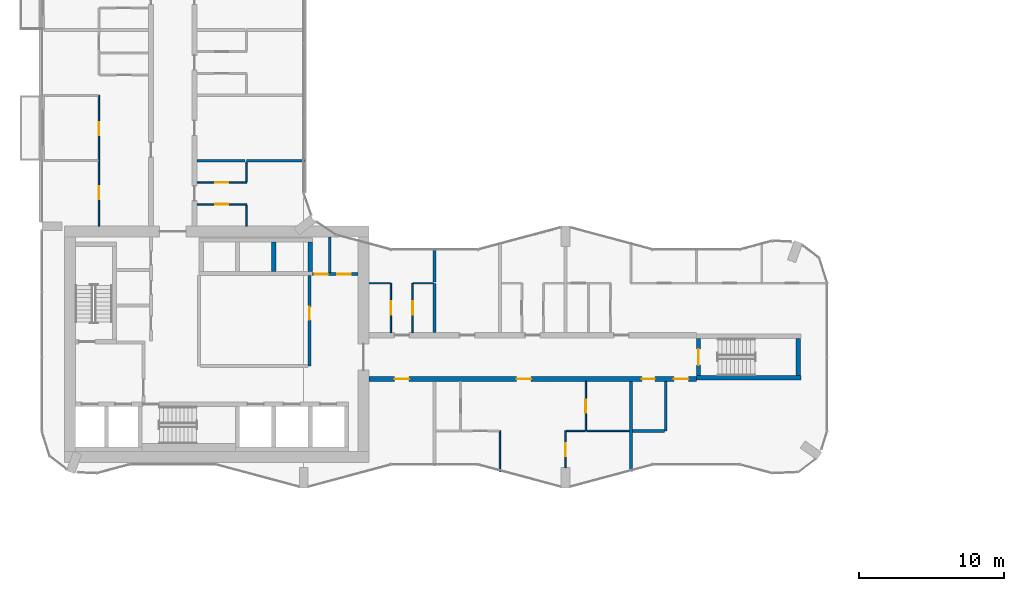
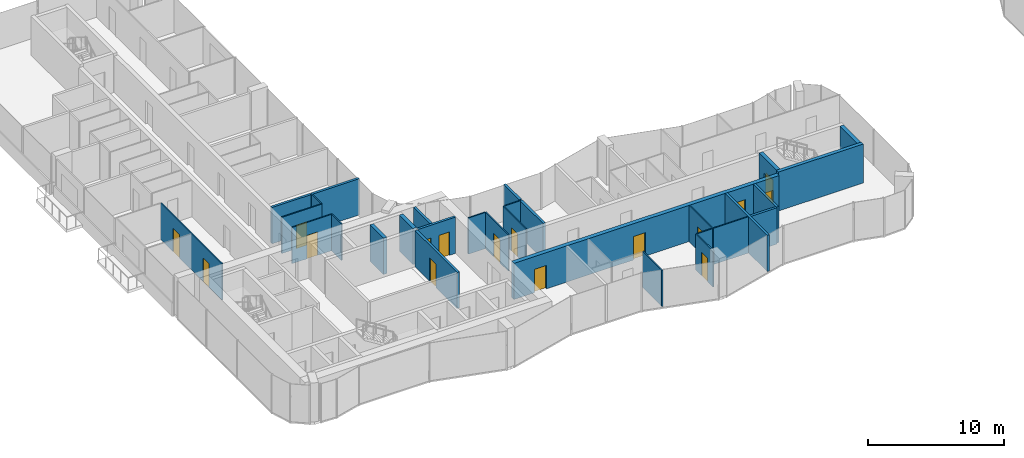
# One storey, part 15 of 24: 30 walls, 16 doors, 16 openings.
"""IFC4 building model written with IfcOpenShell, lengths in metres."""

from ifc_helpers import new_model, si_unit, direction, frame, frame_2d, origin, place, context, subcontext, project, spatial, rectangle, extrude, material, layer, layer_set, type_object, element, fill, save


model = new_model("IFC4")

# Units and contexts
model_context = context("Model", 3, precision=1e-05, world=origin(), true_north=direction((0.0, 1.0)))
body_context = subcontext(model_context, "Body", "Model", "MODEL_VIEW")
ifc_project = project(units=[si_unit("LENGTHUNIT", "METRE"), si_unit("AREAUNIT", "SQUARE_METRE"), si_unit("VOLUMEUNIT", "CUBIC_METRE"), si_unit("PLANEANGLEUNIT", "RADIAN"), si_unit("MASSUNIT", "GRAM", prefix="KILO")], contexts=[model_context])

# Site, building, storey
site_placement = place(None, origin())
site = spatial("IfcSite", under=ifc_project, at=site_placement, CompositionType="ELEMENT")
building_placement = place(site_placement, origin())
building = spatial("IfcBuilding", under=site, at=building_placement, Name="Plateau Cross Towers", CompositionType="ELEMENT")
storey_placement = place(building_placement, frame((0.0, 0.0, 44.300048828125)))
storey = spatial("IfcBuildingStorey", under=building, at=storey_placement, Name="L10", CompositionType="ELEMENT", Elevation=44.300048828125)

# Wall, opening, door
ifc_material_1 = material(Name="Concrete block, plastered both sides", Category="concrete")
ifc_layer_1 = layer(ifc_material_1, 0.199951171875)
ifc_layer_set_1 = layer_set([ifc_layer_1], Name="Concrete block, plastered both sides")
wall_type_1 = type_object("IfcWallType", Name="Core partition 200", PredefinedType="PARTITIONING", material=ifc_layer_set_1)
wall_1_placement = place(storey_placement, frame((18.39990234375, 8.39990234375, 0.0), z_axis=(0.0, 0.0, 1.0), x_axis=(0.0, 1.0, 0.0)))
wall_1 = element("IfcWall", 1, at=wall_1_placement, inside=storey, type_object=wall_type_1, Name="Core partition", PredefinedType="PARTITIONING", context=body_context, shape_type="SweptSolid", body=[
    extrude(rectangle(XDim=6.2001953125, YDim=0.199951171875, at=frame_2d((3.10009765625, 0.0))), origin(), (0.0, 0.0, 1.0), 3.25),
])
opening_1_placement = place(wall_1_placement, frame((3.14990234375, 0.0, 0.0)))
opening_1 = element("IfcOpeningElement", 2, at=opening_1_placement, cuts=wall_1, Name="Opening RD1", PredefinedType="OPENING", context=body_context, shape_type="SweptSolid", body=[
    extrude(rectangle(XDim=0.89990234375, YDim=2.10009765625, at=frame_2d((0.449951171875, 1.050048828125))), frame((0.0, 0.10986328125, 0.0), z_axis=(0.0, -1.0, 0.0), x_axis=(1.0, 0.0, 0.0)), (0.0, 0.0, 1.0), 0.219970703125),
])
ifc_material_2 = material(Name="Timber, fire-resisting leaf", Category="wood")
door_type_1 = type_object("IfcDoorType", Name="Core service door 900", OperationType="NOTDEFINED", PredefinedType="DOOR", material=ifc_material_2)
door_1_placement = place(opening_1_placement, origin())
door_1 = element("IfcDoor", 3, at=door_1_placement, inside=storey, type_object=door_type_1, Name="Core service door RD1", OperationType="SINGLE_SWING_LEFT", OverallHeight=2.10009765625, OverallWidth=0.89990234375, PredefinedType="DOOR", context=body_context, shape_type="SweptSolid", body=[
    extrude(rectangle(XDim=0.89990234375, YDim=2.10009765625, at=frame_2d((0.449951171875, 1.050048828125))), frame((0.0, 0.02490234375, 0.0), z_axis=(0.0, -1.0, 0.0), x_axis=(1.0, 0.0, 0.0)), (0.0, 0.0, 1.0), 0.050048828125),
])
fill(opening_1, door_1)

# Wall, openings, doors
wall_2_placement = place(storey_placement, frame((18.60009765625, 14.699951171875, 0.0), z_axis=(0.0, 0.0, 1.0), x_axis=(1.0, 0.0, 0.0)))
wall_2 = element("IfcWall", 4, at=wall_2_placement, inside=storey, type_object=wall_type_1, Name="Core partition", PredefinedType="PARTITIONING", context=body_context, shape_type="SweptSolid", body=[
    extrude(rectangle(XDim=3.14990234375, YDim=0.199951171875, at=frame_2d((1.574951171875, 0.0))), origin(), (0.0, 0.0, 1.0), 3.25),
])
opening_2_placement = place(wall_2_placement, frame((0.14990234375, 0.0, 0.0)))
opening_2 = element("IfcOpeningElement", 5, at=opening_2_placement, cuts=wall_2, Name="Opening RD2", PredefinedType="OPENING", context=body_context, shape_type="SweptSolid", body=[
    extrude(rectangle(XDim=0.89990234375, YDim=2.10009765625, at=frame_2d((0.449951171875, 1.050048828125))), frame((0.0, 0.10986328125, 0.0), z_axis=(0.0, -1.0, 0.0), x_axis=(1.0, 0.0, 0.0)), (0.0, 0.0, 1.0), 0.219970703125),
])
opening_3_placement = place(wall_2_placement, frame((1.72509765625, 0.0, 0.0)))
opening_3 = element("IfcOpeningElement", 6, at=opening_3_placement, cuts=wall_2, Name="Opening RD2", PredefinedType="OPENING", context=body_context, shape_type="SweptSolid", body=[
    extrude(rectangle(XDim=0.89990234375, YDim=2.10009765625, at=frame_2d((0.449951171875, 1.050048828125))), frame((0.0, 0.10986328125, 0.0), z_axis=(0.0, -1.0, 0.0), x_axis=(1.0, 0.0, 0.0)), (0.0, 0.0, 1.0), 0.219970703125),
])
ifc_material_3 = material(Name="Steel, fire-resisting leaf", Category="steel")
door_type_2 = type_object("IfcDoorType", Name="Core riser door 900", OperationType="NOTDEFINED", PredefinedType="DOOR", material=ifc_material_3)
door_2_placement = place(opening_2_placement, origin())
door_2 = element("IfcDoor", 7, at=door_2_placement, inside=storey, type_object=door_type_2, Name="Core riser door RD2", OperationType="SINGLE_SWING_LEFT", OverallHeight=2.10009765625, OverallWidth=0.89990234375, PredefinedType="DOOR", context=body_context, shape_type="SweptSolid", body=[
    extrude(rectangle(XDim=0.89990234375, YDim=2.10009765625, at=frame_2d((0.449951171875, 1.050048828125))), frame((0.0, 0.02490234375, 0.0), z_axis=(0.0, -1.0, 0.0), x_axis=(1.0, 0.0, 0.0)), (0.0, 0.0, 1.0), 0.050048828125),
])
fill(opening_2, door_2)
door_3_placement = place(opening_3_placement, origin())
door_3 = element("IfcDoor", 8, at=door_3_placement, inside=storey, type_object=door_type_2, Name="Core riser door RD2", OperationType="SINGLE_SWING_LEFT", OverallHeight=2.10009765625, OverallWidth=0.89990234375, PredefinedType="DOOR", context=body_context, shape_type="SweptSolid", body=[
    extrude(rectangle(XDim=0.89990234375, YDim=2.10009765625, at=frame_2d((0.449951171875, 1.050048828125))), frame((0.0, 0.02490234375, 0.0), z_axis=(0.0, -1.0, 0.0), x_axis=(1.0, 0.0, 0.0)), (0.0, 0.0, 1.0), 0.050048828125),
])
fill(opening_3, door_3)

# Walls
wall_3_placement = place(storey_placement, frame((19.800048828125, 14.800048828125, 0.0), z_axis=(0.0, 0.0, 1.0), x_axis=(0.0, 1.0, 0.0)))
element("IfcWall", 9, at=wall_3_placement, inside=storey, type_object=wall_type_1, Name="Core partition", PredefinedType="PARTITIONING", context=body_context, shape_type="SweptSolid", body=[
    extrude(rectangle(XDim=2.449951171875, YDim=0.199951171875, at=frame_2d((1.22509765625, 0.0))), origin(), (0.0, 0.0, 1.0), 3.25),
])
ifc_material_4 = material(Name="Concrete C60/75", Category="concrete")
ifc_layer_2 = layer(ifc_material_4, 0.300048828125)
ifc_layer_set_2 = layer_set([ifc_layer_2], Name="Concrete C60/75")
wall_type_2 = type_object("IfcWallType", Name="Core shaft wall 300", PredefinedType="SHEAR", material=ifc_layer_set_2)
for number, where, z_axis, x_axis, name in (
    (10, (15.949951171875, 14.89990234375, 0.0), (0.0, 0.0, 1.0), (0.0, 1.0, 0.0), "A-nb-v3@L10"),
    (11, (18.449951171875, 14.89990234375, 0.0), (0.0, 0.0, 1.0), (0.0, 1.0, 0.0), "A-nb-v4@L10"),
):
    element("IfcWall", number, at=place(storey_placement, frame(where, z_axis=z_axis, x_axis=x_axis)), inside=storey, type_object=wall_type_2, Name=name, PredefinedType="SHEAR", context=body_context, shape_type="SweptSolid", body=[
        extrude(rectangle(XDim=2.0, YDim=0.300048828125, at=frame_2d((1.0, 0.0))), origin(), (0.0, 0.0, 1.0), 3.25),
    ])

# Wall, openings, doors
ifc_layer_3 = layer(ifc_material_4, 0.35009765625)
ifc_layer_set_3 = layer_set([ifc_layer_3], Name="Concrete C60/75")
wall_type_3 = type_object("IfcWallType", Name="Corridor wall 350", PredefinedType="SHEAR", material=ifc_layer_set_3)
wall_4_placement = place(storey_placement, frame((22.5, 7.5, 0.0), z_axis=(0.0, 0.0, 1.0), x_axis=(1.0, 0.0, 0.0)))
wall_4 = element("IfcWall", 12, at=wall_4_placement, inside=storey, type_object=wall_type_3, Name="A-cw-S1@L10", PredefinedType="SHEAR", context=body_context, shape_type="SweptSolid", body=[
    extrude(rectangle(XDim=22.5, YDim=0.35009765625, at=frame_2d((11.25, 0.0))), origin(), (0.0, 0.0, 1.0), 3.25),
])
opening_4_placement = place(wall_4_placement, frame((1.75, 0.0, 0.0)))
opening_4 = element("IfcOpeningElement", 13, at=opening_4_placement, cuts=wall_4, Name="Opening 10-01", PredefinedType="OPENING", context=body_context, shape_type="SweptSolid", body=[
    extrude(rectangle(XDim=1.0, YDim=2.10009765625, at=frame_2d((0.5, 1.050048828125))), frame((0.0, 0.18505859375, 0.0), z_axis=(0.0, -1.0, 0.0), x_axis=(1.0, 0.0, 0.0)), (0.0, 0.0, 1.0), 0.3701171875),
])
opening_5_placement = place(wall_4_placement, frame((10.14990234375, 0.0, 0.0)))
opening_5 = element("IfcOpeningElement", 14, at=opening_5_placement, cuts=wall_4, Name="Opening 10-02", PredefinedType="OPENING", context=body_context, shape_type="SweptSolid", body=[
    extrude(rectangle(XDim=1.0, YDim=2.10009765625, at=frame_2d((0.5, 1.050048828125))), frame((0.0, 0.18505859375, 0.0), z_axis=(0.0, -1.0, 0.0), x_axis=(1.0, 0.0, 0.0)), (0.0, 0.0, 1.0), 0.3701171875),
])
opening_6_placement = place(wall_4_placement, frame((18.75, 0.0, 0.0)))
opening_6 = element("IfcOpeningElement", 15, at=opening_6_placement, cuts=wall_4, Name="Opening 10-03", PredefinedType="OPENING", context=body_context, shape_type="SweptSolid", body=[
    extrude(rectangle(XDim=0.89990234375, YDim=2.10009765625, at=frame_2d((0.449951171875, 1.050048828125))), frame((0.0, 0.18505859375, 0.0), z_axis=(0.0, -1.0, 0.0), x_axis=(1.0, 0.0, 0.0)), (0.0, 0.0, 1.0), 0.3701171875),
])
opening_7_placement = place(wall_4_placement, frame((20.949951171875, 0.0, 0.0)))
opening_7 = element("IfcOpeningElement", 16, at=opening_7_placement, cuts=wall_4, Name="Opening 10-04", PredefinedType="OPENING", context=body_context, shape_type="SweptSolid", body=[
    extrude(rectangle(XDim=1.0, YDim=2.10009765625, at=frame_2d((0.5, 1.050048828125))), frame((0.0, 0.18505859375, 0.0), z_axis=(0.0, -1.0, 0.0), x_axis=(1.0, 0.0, 0.0)), (0.0, 0.0, 1.0), 0.3701171875),
])
door_type_3 = type_object("IfcDoorType", Name="Flat entrance door 1000", OperationType="NOTDEFINED", PredefinedType="DOOR", material=ifc_material_2)
door_4_placement = place(opening_4_placement, origin())
door_4 = element("IfcDoor", 17, at=door_4_placement, inside=storey, type_object=door_type_3, Name="Door 10-01", OperationType="SINGLE_SWING_LEFT", OverallHeight=2.10009765625, OverallWidth=1.0, PredefinedType="DOOR", context=body_context, shape_type="SweptSolid", body=[
    extrude(rectangle(XDim=1.0, YDim=2.10009765625, at=frame_2d((0.5, 1.050048828125))), frame((0.0, 0.02490234375, 0.0), z_axis=(0.0, -1.0, 0.0), x_axis=(1.0, 0.0, 0.0)), (0.0, 0.0, 1.0), 0.050048828125),
])
fill(opening_4, door_4)
door_5_placement = place(opening_5_placement, origin())
door_5 = element("IfcDoor", 18, at=door_5_placement, inside=storey, type_object=door_type_3, Name="Door 10-02", OperationType="SINGLE_SWING_LEFT", OverallHeight=2.10009765625, OverallWidth=1.0, PredefinedType="DOOR", context=body_context, shape_type="SweptSolid", body=[
    extrude(rectangle(XDim=1.0, YDim=2.10009765625, at=frame_2d((0.5, 1.050048828125))), frame((0.0, 0.02490234375, 0.0), z_axis=(0.0, -1.0, 0.0), x_axis=(1.0, 0.0, 0.0)), (0.0, 0.0, 1.0), 0.050048828125),
])
fill(opening_5, door_5)
door_6_placement = place(opening_7_placement, origin())
door_6 = element("IfcDoor", 19, at=door_6_placement, inside=storey, type_object=door_type_3, Name="Door 10-04", OperationType="SINGLE_SWING_RIGHT", OverallHeight=2.10009765625, OverallWidth=1.0, PredefinedType="DOOR", context=body_context, shape_type="SweptSolid", body=[
    extrude(rectangle(XDim=1.0, YDim=2.10009765625, at=frame_2d((0.5, 1.050048828125))), frame((0.0, 0.02490234375, 0.0), z_axis=(0.0, -1.0, 0.0), x_axis=(1.0, 0.0, 0.0)), (0.0, 0.0, 1.0), 0.050048828125),
])
fill(opening_7, door_6)
door_type_4 = type_object("IfcDoorType", Name="Flat floor service door 900", OperationType="NOTDEFINED", PredefinedType="DOOR", material=ifc_material_2)
door_7_placement = place(opening_6_placement, origin())
door_7 = element("IfcDoor", 20, at=door_7_placement, inside=storey, type_object=door_type_4, Name="Door 10-03", OperationType="SINGLE_SWING_RIGHT", OverallHeight=2.10009765625, OverallWidth=0.89990234375, PredefinedType="DOOR", context=body_context, shape_type="SweptSolid", body=[
    extrude(rectangle(XDim=0.89990234375, YDim=2.10009765625, at=frame_2d((0.449951171875, 1.050048828125))), frame((0.0, 0.02490234375, 0.0), z_axis=(0.0, -1.0, 0.0), x_axis=(1.0, 0.0, 0.0)), (0.0, 0.0, 1.0), 0.050048828125),
])
fill(opening_6, door_7)

# Walls
ifc_material_5 = material(Name="Gypsum board on steel studs", Category="steel")
ifc_layer_4 = layer(ifc_material_5, 0.10009765625)
ifc_layer_set_4 = layer_set([ifc_layer_4], Name="Gypsum board on steel studs")
wall_type_4 = type_object("IfcWallType", Name="Flat partition 100", PredefinedType="PARTITIONING", material=ifc_layer_set_4)
wall_5_placement = place(storey_placement, frame((37.35009765625, 3.925048828125, 0.0), z_axis=(0.0, 0.0, 1.0), x_axis=(-1.0, 0.0, 0.0)))
element("IfcWall", 21, at=wall_5_placement, inside=storey, type_object=wall_type_4, Name="Partition wall", PredefinedType="PARTITIONING", context=body_context, shape_type="SweptSolid", body=[
    extrude(rectangle(XDim=1.300048828125, YDim=0.10009765625, at=frame_2d((0.64990234375, 0.0))), origin(), (0.0, 0.0, 1.0), 3.25),
])
wall_6_placement = place(storey_placement, frame((37.449951171875, 3.925048828125, 0.0), z_axis=(0.0, 0.0, 1.0), x_axis=(1.0, 0.0, 0.0)))
element("IfcWall", 22, at=wall_6_placement, inside=storey, type_object=wall_type_4, Name="Partition wall", PredefinedType="PARTITIONING", context=body_context, shape_type="SweptSolid", body=[
    extrude(rectangle(XDim=2.949951171875, YDim=0.10009765625, at=frame_2d((1.47509765625, 0.0))), origin(), (0.0, 0.0, 1.0), 3.25),
])
wall_7_placement = place(storey_placement, frame((23.949951171875, 14.074951171875, 0.0), z_axis=(0.0, 0.0, 1.0), x_axis=(-1.0, 0.0, 0.0)))
element("IfcWall", 23, at=wall_7_placement, inside=storey, type_object=wall_type_4, Name="Partition wall", PredefinedType="PARTITIONING", context=body_context, shape_type="SweptSolid", body=[
    extrude(rectangle(XDim=1.449951171875, YDim=0.10009765625, at=frame_2d((0.72509765625, 0.0))), origin(), (0.0, 0.0, 1.0), 3.25),
])
wall_8_placement = place(storey_placement, frame((26.89990234375, 14.074951171875, 0.0), z_axis=(0.0, 0.0, 1.0), x_axis=(-1.0, 0.0, 0.0)))
element("IfcWall", 24, at=wall_8_placement, inside=storey, type_object=wall_type_4, Name="Partition wall", PredefinedType="PARTITIONING", context=body_context, shape_type="SweptSolid", body=[
    extrude(rectangle(XDim=1.349853515625, YDim=0.10009765625, at=frame_2d((0.6748046875, 0.0))), origin(), (0.0, 0.0, 1.0), 3.25),
])

# Wall, opening, door
wall_9_placement = place(storey_placement, frame((14.074951171875, 19.5, 0.0), z_axis=(0.0, 0.0, 1.0), x_axis=(-1.0, 0.0, 0.0)))
wall_9 = element("IfcWall", 25, at=wall_9_placement, inside=storey, type_object=wall_type_4, Name="Partition wall", PredefinedType="PARTITIONING", context=body_context, shape_type="SweptSolid", body=[
    extrude(rectangle(XDim=3.39990234375, YDim=0.10009765625, at=frame_2d((1.699951171875, 0.0))), origin(), (0.0, 0.0, 1.0), 3.25),
])
opening_8_placement = place(wall_9_placement, frame((1.25, 0.0, 0.0)))
opening_8 = element("IfcOpeningElement", 26, at=opening_8_placement, cuts=wall_9, Name="Opening 10-40", PredefinedType="OPENING", context=body_context, shape_type="SweptSolid", body=[
    extrude(rectangle(XDim=0.89990234375, YDim=2.10009765625, at=frame_2d((0.449951171875, 1.050048828125))), frame((0.0, 0.06005859375, 0.0), z_axis=(0.0, -1.0, 0.0), x_axis=(1.0, 0.0, 0.0)), (0.0, 0.0, 1.0), 0.1201171875),
])
ifc_material_6 = material(Name="Timber leaf", Category="wood")
door_type_5 = type_object("IfcDoorType", Name="Flat room door 900", OperationType="NOTDEFINED", PredefinedType="DOOR", material=ifc_material_6)
door_8_placement = place(opening_8_placement, origin())
door_8 = element("IfcDoor", 27, at=door_8_placement, inside=storey, type_object=door_type_5, Name="Door 10-40", OperationType="SINGLE_SWING_RIGHT", OverallHeight=2.10009765625, OverallWidth=0.89990234375, PredefinedType="DOOR", context=body_context, shape_type="SweptSolid", body=[
    extrude(rectangle(XDim=0.89990234375, YDim=2.10009765625, at=frame_2d((0.449951171875, 1.050048828125))), frame((0.0, 0.02490234375, 0.0), z_axis=(0.0, -1.0, 0.0), x_axis=(1.0, 0.0, 0.0)), (0.0, 0.0, 1.0), 0.050048828125),
])
fill(opening_8, door_8)

wall_10_placement = place(storey_placement, frame((10.675048828125, 21.0, 0.0), z_axis=(0.0, 0.0, 1.0), x_axis=(1.0, 0.0, 0.0)))
wall_10 = element("IfcWall", 28, at=wall_10_placement, inside=storey, type_object=wall_type_4, Name="Partition wall", PredefinedType="PARTITIONING", context=body_context, shape_type="SweptSolid", body=[
    extrude(rectangle(XDim=3.39990234375, YDim=0.10009765625, at=frame_2d((1.699951171875, 0.0))), origin(), (0.0, 0.0, 1.0), 3.25),
])
opening_9_placement = place(wall_10_placement, frame((1.25, 0.0, 0.0)))
opening_9 = element("IfcOpeningElement", 29, at=opening_9_placement, cuts=wall_10, Name="Opening 10-41", PredefinedType="OPENING", context=body_context, shape_type="SweptSolid", body=[
    extrude(rectangle(XDim=0.89990234375, YDim=2.10009765625, at=frame_2d((0.449951171875, 1.050048828125))), frame((0.0, 0.06005859375, 0.0), z_axis=(0.0, -1.0, 0.0), x_axis=(1.0, 0.0, 0.0)), (0.0, 0.0, 1.0), 0.1201171875),
])
door_9_placement = place(opening_9_placement, origin())
door_9 = element("IfcDoor", 30, at=door_9_placement, inside=storey, type_object=door_type_5, Name="Door 10-41", OperationType="SINGLE_SWING_RIGHT", OverallHeight=2.10009765625, OverallWidth=0.89990234375, PredefinedType="DOOR", context=body_context, shape_type="SweptSolid", body=[
    extrude(rectangle(XDim=0.89990234375, YDim=2.10009765625, at=frame_2d((0.449951171875, 1.050048828125))), frame((0.0, 0.02490234375, 0.0), z_axis=(0.0, -1.0, 0.0), x_axis=(1.0, 0.0, 0.0)), (0.0, 0.0, 1.0), 0.050048828125),
])
fill(opening_9, door_9)

# Wall, openings, doors
wall_11_placement = place(storey_placement, frame((3.925048828125, 18.0, 0.0), z_axis=(0.0, 0.0, 1.0), x_axis=(0.0, 1.0, 0.0)))
wall_11 = element("IfcWall", 31, at=wall_11_placement, inside=storey, type_object=wall_type_4, Name="Partition wall", PredefinedType="PARTITIONING", context=body_context, shape_type="SweptSolid", body=[
    extrude(rectangle(XDim=9.0, YDim=0.10009765625, at=frame_2d((4.5, 0.0))), origin(), (0.0, 0.0, 1.0), 3.25),
])
opening_10_placement = place(wall_11_placement, frame((1.85009765625, 0.0, 0.0)))
opening_10 = element("IfcOpeningElement", 32, at=opening_10_placement, cuts=wall_11, Name="Opening 10-34", PredefinedType="OPENING", context=body_context, shape_type="SweptSolid", body=[
    extrude(rectangle(XDim=0.89990234375, YDim=2.10009765625, at=frame_2d((0.449951171875, 1.050048828125))), frame((0.0, 0.06005859375, 0.0), z_axis=(0.0, -1.0, 0.0), x_axis=(1.0, 0.0, 0.0)), (0.0, 0.0, 1.0), 0.1201171875),
])
opening_11_placement = place(wall_11_placement, frame((6.25, 0.0, 0.0)))
opening_11 = element("IfcOpeningElement", 33, at=opening_11_placement, cuts=wall_11, Name="Opening 10-35", PredefinedType="OPENING", context=body_context, shape_type="SweptSolid", body=[
    extrude(rectangle(XDim=0.89990234375, YDim=2.10009765625, at=frame_2d((0.449951171875, 1.050048828125))), frame((0.0, 0.06005859375, 0.0), z_axis=(0.0, -1.0, 0.0), x_axis=(1.0, 0.0, 0.0)), (0.0, 0.0, 1.0), 0.1201171875),
])
door_10_placement = place(opening_10_placement, origin())
door_10 = element("IfcDoor", 34, at=door_10_placement, inside=storey, type_object=door_type_5, Name="Door 10-34", OperationType="SINGLE_SWING_LEFT", OverallHeight=2.10009765625, OverallWidth=0.89990234375, PredefinedType="DOOR", context=body_context, shape_type="SweptSolid", body=[
    extrude(rectangle(XDim=0.89990234375, YDim=2.10009765625, at=frame_2d((0.449951171875, 1.050048828125))), frame((0.0, 0.02490234375, 0.0), z_axis=(0.0, -1.0, 0.0), x_axis=(1.0, 0.0, 0.0)), (0.0, 0.0, 1.0), 0.050048828125),
])
fill(opening_10, door_10)
door_11_placement = place(opening_11_placement, origin())
door_11 = element("IfcDoor", 35, at=door_11_placement, inside=storey, type_object=door_type_5, Name="Door 10-35", OperationType="SINGLE_SWING_RIGHT", OverallHeight=2.10009765625, OverallWidth=0.89990234375, PredefinedType="DOOR", context=body_context, shape_type="SweptSolid", body=[
    extrude(rectangle(XDim=0.89990234375, YDim=2.10009765625, at=frame_2d((0.449951171875, 1.050048828125))), frame((0.0, 0.02490234375, 0.0), z_axis=(0.0, -1.0, 0.0), x_axis=(1.0, 0.0, 0.0)), (0.0, 0.0, 1.0), 0.050048828125),
])
fill(opening_11, door_11)

# Walls
wall_12_placement = place(storey_placement, frame((14.074951171875, 18.0, 0.0), z_axis=(0.0, 0.0, 1.0), x_axis=(0.0, 1.0, 0.0)))
element("IfcWall", 36, at=wall_12_placement, inside=storey, type_object=wall_type_4, Name="Partition wall", PredefinedType="PARTITIONING", context=body_context, shape_type="SweptSolid", body=[
    extrude(rectangle(XDim=1.449951171875, YDim=0.10009765625, at=frame_2d((0.72509765625, 0.0))), origin(), (0.0, 0.0, 1.0), 3.25),
])
wall_13_placement = place(storey_placement, frame((14.074951171875, 21.050048828125, 0.0), z_axis=(0.0, 0.0, 1.0), x_axis=(0.0, 1.0, 0.0)))
element("IfcWall", 37, at=wall_13_placement, inside=storey, type_object=wall_type_4, Name="Partition wall", PredefinedType="PARTITIONING", context=body_context, shape_type="SweptSolid", body=[
    extrude(rectangle(XDim=1.349853515625, YDim=0.10009765625, at=frame_2d((0.6748046875, 0.0))), origin(), (0.0, 0.0, 1.0), 3.25),
])

# Wall, opening, door
wall_14_placement = place(storey_placement, frame((24.0, 10.675048828125, 0.0), z_axis=(0.0, 0.0, 1.0), x_axis=(0.0, 1.0, 0.0)))
wall_14 = element("IfcWall", 38, at=wall_14_placement, inside=storey, type_object=wall_type_4, Name="Partition wall", PredefinedType="PARTITIONING", context=body_context, shape_type="SweptSolid", body=[
    extrude(rectangle(XDim=3.39990234375, YDim=0.10009765625, at=frame_2d((1.699951171875, 0.0))), origin(), (0.0, 0.0, 1.0), 3.25),
])
opening_12_placement = place(wall_14_placement, frame((1.25, 0.0, 0.0)))
opening_12 = element("IfcOpeningElement", 39, at=opening_12_placement, cuts=wall_14, Name="Opening 10-23", PredefinedType="OPENING", context=body_context, shape_type="SweptSolid", body=[
    extrude(rectangle(XDim=0.89990234375, YDim=2.10009765625, at=frame_2d((0.449951171875, 1.050048828125))), frame((0.0, 0.06005859375, 0.0), z_axis=(0.0, -1.0, 0.0), x_axis=(1.0, 0.0, 0.0)), (0.0, 0.0, 1.0), 0.1201171875),
])
door_12_placement = place(opening_12_placement, origin())
door_12 = element("IfcDoor", 40, at=door_12_placement, inside=storey, type_object=door_type_5, Name="Door 10-23", OperationType="SINGLE_SWING_RIGHT", OverallHeight=2.10009765625, OverallWidth=0.89990234375, PredefinedType="DOOR", context=body_context, shape_type="SweptSolid", body=[
    extrude(rectangle(XDim=0.89990234375, YDim=2.10009765625, at=frame_2d((0.449951171875, 1.050048828125))), frame((0.0, 0.02490234375, 0.0), z_axis=(0.0, -1.0, 0.0), x_axis=(1.0, 0.0, 0.0)), (0.0, 0.0, 1.0), 0.050048828125),
])
fill(opening_12, door_12)

wall_15_placement = place(storey_placement, frame((25.5, 14.074951171875, 0.0), z_axis=(0.0, 0.0, 1.0), x_axis=(0.0, -1.0, 0.0)))
wall_15 = element("IfcWall", 41, at=wall_15_placement, inside=storey, type_object=wall_type_4, Name="Partition wall", PredefinedType="PARTITIONING", context=body_context, shape_type="SweptSolid", body=[
    extrude(rectangle(XDim=3.39990234375, YDim=0.10009765625, at=frame_2d((1.699951171875, 0.0))), origin(), (0.0, 0.0, 1.0), 3.25),
])
opening_13_placement = place(wall_15_placement, frame((1.25, 0.0, 0.0)))
opening_13 = element("IfcOpeningElement", 42, at=opening_13_placement, cuts=wall_15, Name="Opening 10-24", PredefinedType="OPENING", context=body_context, shape_type="SweptSolid", body=[
    extrude(rectangle(XDim=0.89990234375, YDim=2.10009765625, at=frame_2d((0.449951171875, 1.050048828125))), frame((0.0, 0.06005859375, 0.0), z_axis=(0.0, -1.0, 0.0), x_axis=(1.0, 0.0, 0.0)), (0.0, 0.0, 1.0), 0.1201171875),
])
door_13_placement = place(opening_13_placement, origin())
door_13 = element("IfcDoor", 43, at=door_13_placement, inside=storey, type_object=door_type_5, Name="Door 10-24", OperationType="SINGLE_SWING_RIGHT", OverallHeight=2.10009765625, OverallWidth=0.89990234375, PredefinedType="DOOR", context=body_context, shape_type="SweptSolid", body=[
    extrude(rectangle(XDim=0.89990234375, YDim=2.10009765625, at=frame_2d((0.449951171875, 1.050048828125))), frame((0.0, 0.02490234375, 0.0), z_axis=(0.0, -1.0, 0.0), x_axis=(1.0, 0.0, 0.0)), (0.0, 0.0, 1.0), 0.050048828125),
])
fill(opening_13, door_13)

# Wall
wall_16_placement = place(storey_placement, frame((31.5, 1.122314453125, 0.0), z_axis=(0.0, 0.0, 1.0), x_axis=(0.0, 1.0, 0.0)))
element("IfcWall", 44, at=wall_16_placement, inside=storey, type_object=wall_type_4, Name="Partition wall", PredefinedType="PARTITIONING", context=body_context, shape_type="SweptSolid", body=[
    extrude(rectangle(XDim=2.802734375, YDim=0.10009765625, at=frame_2d((1.4013671875, 0.0))), origin(), (0.0, 0.0, 1.0), 3.25),
])

# Wall, opening, door
wall_17_placement = place(storey_placement, frame((36.0, 3.925048828125, 0.0), z_axis=(0.0, 0.0, 1.0), x_axis=(0.0, -1.0, 0.0)))
wall_17 = element("IfcWall", 45, at=wall_17_placement, inside=storey, type_object=wall_type_4, Name="Partition wall", PredefinedType="PARTITIONING", context=body_context, shape_type="SweptSolid", body=[
    extrude(rectangle(XDim=2.525146484375, YDim=0.10009765625, at=frame_2d((1.2626953125, 0.0))), origin(), (0.0, 0.0, 1.0), 3.25),
])
opening_14_placement = place(wall_17_placement, frame((0.85009765625, 0.0, 0.0)))
opening_14 = element("IfcOpeningElement", 46, at=opening_14_placement, cuts=wall_17, Name="Opening 10-22", PredefinedType="OPENING", context=body_context, shape_type="SweptSolid", body=[
    extrude(rectangle(XDim=0.89990234375, YDim=2.10009765625, at=frame_2d((0.449951171875, 1.050048828125))), frame((0.0, 0.06005859375, 0.0), z_axis=(0.0, -1.0, 0.0), x_axis=(1.0, 0.0, 0.0)), (0.0, 0.0, 1.0), 0.1201171875),
])
door_14_placement = place(opening_14_placement, origin())
door_14 = element("IfcDoor", 47, at=door_14_placement, inside=storey, type_object=door_type_5, Name="Door 10-22", OperationType="SINGLE_SWING_RIGHT", OverallHeight=2.10009765625, OverallWidth=0.89990234375, PredefinedType="DOOR", context=body_context, shape_type="SweptSolid", body=[
    extrude(rectangle(XDim=0.89990234375, YDim=2.10009765625, at=frame_2d((0.449951171875, 1.050048828125))), frame((0.0, 0.02490234375, 0.0), z_axis=(0.0, -1.0, 0.0), x_axis=(1.0, 0.0, 0.0)), (0.0, 0.0, 1.0), 0.050048828125),
])
fill(opening_14, door_14)

wall_18_placement = place(storey_placement, frame((37.39990234375, 7.324951171875, 0.0), z_axis=(0.0, 0.0, 1.0), x_axis=(0.0, -1.0, 0.0)))
wall_18 = element("IfcWall", 48, at=wall_18_placement, inside=storey, type_object=wall_type_4, Name="Partition wall", PredefinedType="PARTITIONING", context=body_context, shape_type="SweptSolid", body=[
    extrude(rectangle(XDim=3.39990234375, YDim=0.10009765625, at=frame_2d((1.699951171875, 0.0))), origin(), (0.0, 0.0, 1.0), 3.25),
])
opening_15_placement = place(wall_18_placement, frame((1.25, 0.0, 0.0)))
opening_15 = element("IfcOpeningElement", 49, at=opening_15_placement, cuts=wall_18, Name="Opening 10-20", PredefinedType="OPENING", context=body_context, shape_type="SweptSolid", body=[
    extrude(rectangle(XDim=0.89990234375, YDim=2.10009765625, at=frame_2d((0.449951171875, 1.050048828125))), frame((0.0, 0.06005859375, 0.0), z_axis=(0.0, -1.0, 0.0), x_axis=(1.0, 0.0, 0.0)), (0.0, 0.0, 1.0), 0.1201171875),
])
door_15_placement = place(opening_15_placement, origin())
door_15 = element("IfcDoor", 50, at=door_15_placement, inside=storey, type_object=door_type_5, Name="Door 10-20", OperationType="SINGLE_SWING_LEFT", OverallHeight=2.10009765625, OverallWidth=0.89990234375, PredefinedType="DOOR", context=body_context, shape_type="SweptSolid", body=[
    extrude(rectangle(XDim=0.89990234375, YDim=2.10009765625, at=frame_2d((0.449951171875, 1.050048828125))), frame((0.0, 0.02490234375, 0.0), z_axis=(0.0, -1.0, 0.0), x_axis=(1.0, 0.0, 0.0)), (0.0, 0.0, 1.0), 0.050048828125),
])
fill(opening_15, door_15)

# Walls
ifc_material_7 = material(Name="Gypsum board on steel studs, two layers each side", Category="steel")
ifc_layer_5 = layer(ifc_material_7, 0.199951171875)
ifc_layer_set_5 = layer_set([ifc_layer_5], Name="Gypsum board on steel studs, two layers each side")
wall_type_5 = type_object("IfcWallType", Name="Flat party wall 200", PredefinedType="PARTITIONING", material=ifc_layer_set_5)
wall_19_placement = place(storey_placement, frame((40.60009765625, 3.925048828125, 0.0), z_axis=(0.0, 0.0, 1.0), x_axis=(1.0, 0.0, 0.0)))
element("IfcWall", 51, at=wall_19_placement, inside=storey, type_object=wall_type_5, Name="Party wall", PredefinedType="PARTITIONING", context=body_context, shape_type="SweptSolid", body=[
    extrude(rectangle(XDim=2.199951171875, YDim=0.199951171875, at=frame_2d((1.10009765625, 0.0))), origin(), (0.0, 0.0, 1.0), 3.25),
])
wall_20_placement = place(storey_placement, frame((13.97509765625, 22.5, 0.0), z_axis=(0.0, 0.0, 1.0), x_axis=(-1.0, 0.0, 0.0)))
element("IfcWall", 52, at=wall_20_placement, inside=storey, type_object=wall_type_5, Name="Party wall", PredefinedType="PARTITIONING", context=body_context, shape_type="SweptSolid", body=[
    extrude(rectangle(XDim=3.300048828125, YDim=0.199951171875, at=frame_2d((1.64990234375, 0.0))), origin(), (0.0, 0.0, 1.0), 3.25),
])
wall_21_placement = place(storey_placement, frame((14.074951171875, 22.5, 0.0), z_axis=(0.0, 0.0, 1.0), x_axis=(1.0, 0.0, 0.0)))
element("IfcWall", 53, at=wall_21_placement, inside=storey, type_object=wall_type_5, Name="Party wall", PredefinedType="PARTITIONING", context=body_context, shape_type="SweptSolid", body=[
    extrude(rectangle(XDim=4.005126953125, YDim=0.199951171875, at=frame_2d((2.00244140625, 0.0))), origin(), (0.0, 0.0, 1.0), 3.25),
])
wall_22_placement = place(storey_placement, frame((27.0, 16.47314453125, 0.0), z_axis=(0.0, 0.0, 1.0), x_axis=(0.0, -1.0, 0.0)))
element("IfcWall", 54, at=wall_22_placement, inside=storey, type_object=wall_type_5, Name="Party wall", PredefinedType="PARTITIONING", context=body_context, shape_type="SweptSolid", body=[
    extrude(rectangle(XDim=2.298095703125, YDim=0.199951171875, at=frame_2d((1.14892578125, 0.0))), origin(), (0.0, 0.0, 1.0), 3.25),
])
wall_23_placement = place(storey_placement, frame((27.0, 10.675048828125, 0.0), z_axis=(0.0, 0.0, 1.0), x_axis=(0.0, 1.0, 0.0)))
element("IfcWall", 55, at=wall_23_placement, inside=storey, type_object=wall_type_5, Name="Party wall", PredefinedType="PARTITIONING", context=body_context, shape_type="SweptSolid", body=[
    extrude(rectangle(XDim=3.39990234375, YDim=0.199951171875, at=frame_2d((1.699951171875, 0.0))), origin(), (0.0, 0.0, 1.0), 3.25),
])
wall_24_placement = place(storey_placement, frame((40.5, 1.122314453125, 0.0), z_axis=(0.0, 0.0, 1.0), x_axis=(0.0, 1.0, 0.0)))
element("IfcWall", 56, at=wall_24_placement, inside=storey, type_object=wall_type_5, Name="Party wall", PredefinedType="PARTITIONING", context=body_context, shape_type="SweptSolid", body=[
    extrude(rectangle(XDim=6.20263671875, YDim=0.199951171875, at=frame_2d((3.101318359375, 0.0))), origin(), (0.0, 0.0, 1.0), 3.25),
])
wall_25_placement = place(storey_placement, frame((42.89990234375, 3.925048828125, 0.0), z_axis=(0.0, 0.0, 1.0), x_axis=(0.0, 1.0, 0.0)))
element("IfcWall", 57, at=wall_25_placement, inside=storey, type_object=wall_type_5, Name="Party wall", PredefinedType="PARTITIONING", context=body_context, shape_type="SweptSolid", body=[
    extrude(rectangle(XDim=3.39990234375, YDim=0.199951171875, at=frame_2d((1.699951171875, 0.0))), origin(), (0.0, 0.0, 1.0), 3.25),
])

# Wall, opening, door
ifc_layer_6 = layer(ifc_material_4, 0.300048828125)
ifc_layer_set_6 = layer_set([ifc_layer_6], Name="Concrete C60/75")
wall_type_6 = type_object("IfcWallType", Name="Stair tower wall 300", PredefinedType="SHEAR", material=ifc_layer_set_6)
wall_26_placement = place(storey_placement, frame((45.14990234375, 7.72509765625, 0.0), z_axis=(0.0, 0.0, 1.0), x_axis=(0.0, 1.0, 0.0)))
wall_26 = element("IfcWall", 58, at=wall_26_placement, inside=storey, type_object=wall_type_6, Name="A-end-E-W@L10", PredefinedType="SHEAR", context=body_context, shape_type="SweptSolid", body=[
    extrude(rectangle(XDim=2.5498046875, YDim=0.300048828125, at=frame_2d((1.27490234375, 0.0))), origin(), (0.0, 0.0, 1.0), 3.5),
])
opening_16_placement = place(wall_26_placement, frame((0.72509765625, 0.0, 0.0)))
opening_16 = element("IfcOpeningElement", 59, at=opening_16_placement, cuts=wall_26, Name="Opening SD", PredefinedType="OPENING", context=body_context, shape_type="SweptSolid", body=[
    extrude(rectangle(XDim=1.10009765625, YDim=2.10009765625, at=frame_2d((0.550048828125, 1.050048828125))), frame((0.0, 0.159912109375, 0.0), z_axis=(0.0, -1.0, 0.0), x_axis=(1.0, 0.0, 0.0)), (0.0, 0.0, 1.0), 0.320068359375),
])
door_type_6 = type_object("IfcDoorType", Name="Stair door 1100", OperationType="NOTDEFINED", PredefinedType="DOOR", material=ifc_material_3)
door_16_placement = place(opening_16_placement, origin())
door_16 = element("IfcDoor", 60, at=door_16_placement, inside=storey, type_object=door_type_6, Name="Stair door SD", OperationType="SINGLE_SWING_LEFT", OverallHeight=2.10009765625, OverallWidth=1.10009765625, PredefinedType="DOOR", context=body_context, shape_type="SweptSolid", body=[
    extrude(rectangle(XDim=1.10009765625, YDim=2.10009765625, at=frame_2d((0.550048828125, 1.050048828125))), frame((0.0, 0.02490234375, 0.0), z_axis=(0.0, -1.0, 0.0), x_axis=(1.0, 0.0, 0.0)), (0.0, 0.0, 1.0), 0.050048828125),
])
fill(opening_16, door_16)

# Walls
wall_27_placement = place(storey_placement, frame((52.0, 7.72509765625, 0.0), z_axis=(0.0, 0.0, 1.0), x_axis=(0.0, 1.0, 0.0)))
element("IfcWall", 61, at=wall_27_placement, inside=storey, type_object=wall_type_6, Name="A-end-E-E@L10", PredefinedType="SHEAR", context=body_context, shape_type="SweptSolid", body=[
    extrude(rectangle(XDim=2.5498046875, YDim=0.300048828125, at=frame_2d((1.27490234375, 0.0))), origin(), (0.0, 0.0, 1.0), 3.5),
])
wall_28_placement = place(storey_placement, frame((45.0, 7.574951171875, 0.0), z_axis=(0.0, 0.0, 1.0), x_axis=(1.0, 0.0, 0.0)))
element("IfcWall", 62, at=wall_28_placement, inside=storey, type_object=wall_type_6, Name="A-end-E-S@L10", PredefinedType="SHEAR", context=body_context, shape_type="SweptSolid", body=[
    extrude(rectangle(XDim=7.199951171875, YDim=0.300048828125, at=frame_2d((3.60009765625, 0.0))), origin(), (0.0, 0.0, 1.0), 3.5),
])

save(model, "model.ifc")
